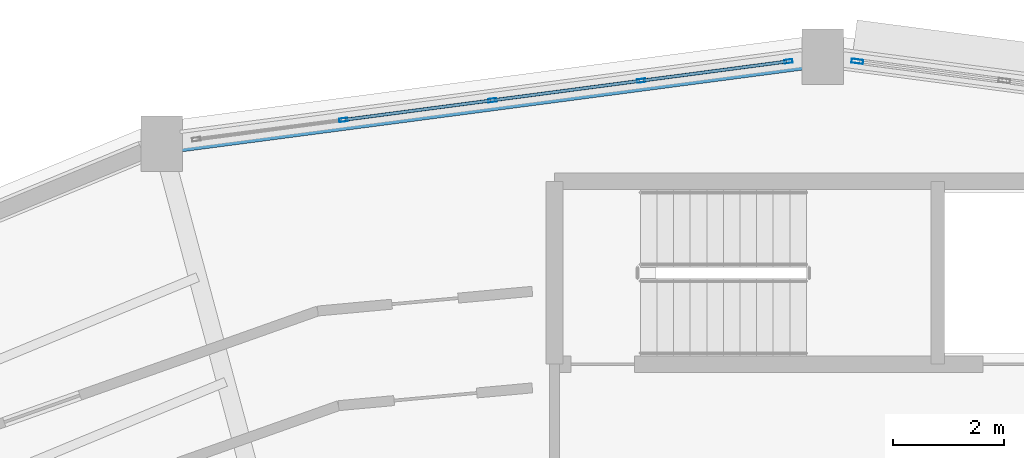
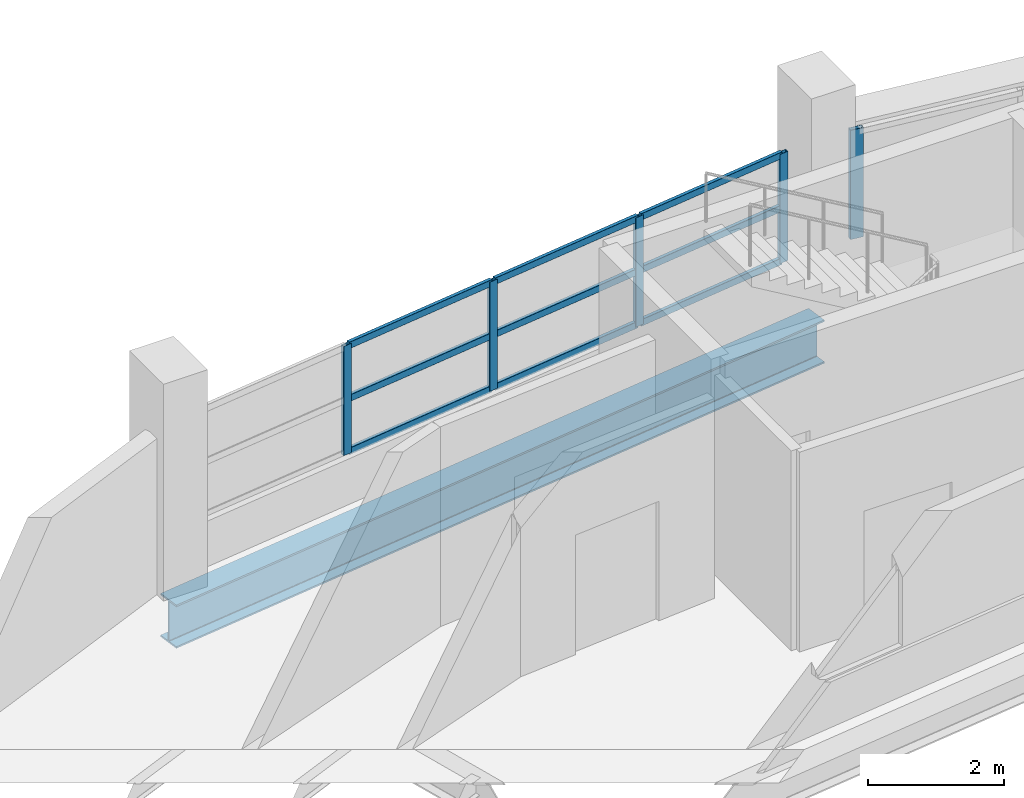
# One storey, part 75 of 108: 14 members, 1 beam, 2 elements without a shape of their own.
"""IFC4 building model written with IfcOpenShell, lengths in metres."""

from ifc_helpers import new_model, si_unit, direction, frame, origin, origin_2d, place, context, subcontext, project, spatial, hollow_rectangle, i_section, extrude, material, layer, layer_set, material_profile, profile_set, type_object, element, aggregate, save


model = new_model("IFC4")

# Units and contexts
model_context = context("Model", 3, precision=1e-05, world=origin(), true_north=direction((0.0, 1.0)))
body_context = subcontext(model_context, "Body", "Model", "MODEL_VIEW")
ifc_project = project(units=[si_unit("LENGTHUNIT", "METRE"), si_unit("AREAUNIT", "SQUARE_METRE"), si_unit("VOLUMEUNIT", "CUBIC_METRE"), si_unit("PLANEANGLEUNIT", "RADIAN"), si_unit("MASSUNIT", "GRAM", prefix="KILO")], contexts=[model_context])

# Site, building, storey
site_placement = place(None, origin())
site = spatial("IfcSite", under=ifc_project, at=site_placement, CompositionType="ELEMENT")
building_placement = place(site_placement, origin())
building = spatial("IfcBuilding", under=site, at=building_placement, Name="Vespera Passage Community Centre", CompositionType="ELEMENT")
storey_placement = place(building_placement, frame((0.0, 0.0, 12.60009765625)))
storey = spatial("IfcBuildingStorey", under=building, at=storey_placement, Name="L03", CompositionType="ELEMENT", Elevation=12.60009765625)

# Beam
ifc_material_1 = material(Name="Steel ASTM A992 Grade 50", Category="steel")
ifc_material_profile_1 = material_profile(ifc_material_1, i_section(OverallWidth=0.382080078125, OverallDepth=0.779296875, WebThickness=0.01806640625, FlangeThickness=0.030029296875, FilletRadius=0.0166015625, at=origin_2d()), Name="W30X191")
ifc_profile_set_1 = profile_set([ifc_material_profile_1], Name="Steel ASTM A992 Grade 50")
beam_type = type_object("IfcBeamType", Name="BM-SP-W30X191E", PredefinedType="SPANDREL", material=ifc_profile_set_1)
beam_placement = place(storey_placement, frame((78.0, 111.60009765625, -0.789794921875), z_axis=(-0.991445178667, -0.130523782115, 0.0), x_axis=(0.130523782115, -0.991445178667, 0.0)))
element("IfcBeam", 1, at=beam_placement, inside=storey, type_object=beam_type, Name="V4 L03 Outer Spandrel 6", PredefinedType="SPANDREL", context=body_context, shape_type="SweptSolid", body=[
    extrude(i_section(OverallWidth=0.382080078125, OverallDepth=0.779296875, WebThickness=0.01806640625, FlangeThickness=0.030029296875, FilletRadius=0.0166015625, at=origin_2d()), origin(), (0.0, 0.0, 1.0), 12.03466796875),
])

# Curtain wall, members
ifc_material_2 = material(Name="Anodized aluminium 6063-T6", Category="aluminium")
ifc_layer_1 = layer(ifc_material_2, 0.159912109375)
ifc_layer_set_1 = layer_set([ifc_layer_1], Name="Anodized aluminium 6063-T6")
curtain_wall_type_1 = type_object("IfcCurtainWallType", Name="CW-43E", PredefinedType="NOTDEFINED", material=ifc_layer_set_1)
curtain_wall_1_placement = place(storey_placement, origin())
curtain_wall_1 = element("IfcCurtainWall", 2, at=curtain_wall_1_placement, inside=storey, type_object=curtain_wall_type_1, Name="V4 L03 Outer Ribbon Curtain Wall 6", PredefinedType="NOTDEFINED")
ifc_material_3 = material(Name="Anodized aluminium 6063-T6", Category="aluminium")
ifc_material_profile_2 = material_profile(ifc_material_3, hollow_rectangle(XDim=0.06494140625, YDim=0.14990234375, WallThickness=0.00390625, InnerFilletRadius=0.001953125, OuterFilletRadius=0.00390625, at=origin_2d()), Name="ALU150X65X4")
ifc_profile_set_2 = profile_set([ifc_material_profile_2], Name="Anodized aluminium 6063-T6")
member_type_1 = type_object("IfcMemberType", Name="MB-CWM-150E", PredefinedType="MULLION", material=ifc_profile_set_2)
member_1_placement = place(storey_placement, frame((69.345458984375, 110.460693359375, 0.81982421875), z_axis=(0.0, 0.0, 1.0), x_axis=(-0.130530818696, 0.991444252276, 0.0)))
member_1 = element("IfcMember", 3, at=member_1_placement, type_object=member_type_1, Name="CW-43E mullion 2", PredefinedType="MULLION", context=body_context, shape_type="SweptSolid", body=[
    extrude(hollow_rectangle(XDim=0.06494140625, YDim=0.14990234375, WallThickness=0.00390625, InnerFilletRadius=0.001953125, OuterFilletRadius=0.00390625, at=origin_2d()), origin(), (0.0, 0.0, 1.0), 1.965576171875),
])
member_2_placement = place(storey_placement, frame((72.0341796875, 110.814697265625, 0.81982421875), z_axis=(0.0, 0.0, 1.0), x_axis=(-0.130530818696, 0.991444252276, 0.0)))
member_2 = element("IfcMember", 4, at=member_2_placement, type_object=member_type_1, Name="CW-43E mullion 3", PredefinedType="MULLION", context=body_context, shape_type="SweptSolid", body=[
    extrude(hollow_rectangle(XDim=0.06494140625, YDim=0.14990234375, WallThickness=0.00390625, InnerFilletRadius=0.001953125, OuterFilletRadius=0.00390625, at=origin_2d()), origin(), (0.0, 0.0, 1.0), 1.965576171875),
])
member_3_placement = place(storey_placement, frame((74.722900390625, 111.168701171875, 0.81982421875), z_axis=(0.0, 0.0, 1.0), x_axis=(-0.130530818696, 0.991444252276, 0.0)))
member_3 = element("IfcMember", 5, at=member_3_placement, type_object=member_type_1, Name="CW-43E mullion 4", PredefinedType="MULLION", context=body_context, shape_type="SweptSolid", body=[
    extrude(hollow_rectangle(XDim=0.06494140625, YDim=0.14990234375, WallThickness=0.00390625, InnerFilletRadius=0.001953125, OuterFilletRadius=0.00390625, at=origin_2d()), origin(), (0.0, 0.0, 1.0), 1.965576171875),
])
member_4_placement = place(storey_placement, frame((77.379638671875, 111.518310546875, 0.81982421875), z_axis=(0.0, 0.0, 1.0), x_axis=(-0.130530818696, 0.991444252276, 0.0)))
member_4 = element("IfcMember", 6, at=member_4_placement, type_object=member_type_1, Name="CW-43E mullion 5", PredefinedType="MULLION", context=body_context, shape_type="SweptSolid", body=[
    extrude(hollow_rectangle(XDim=0.06494140625, YDim=0.14990234375, WallThickness=0.00390625, InnerFilletRadius=0.001953125, OuterFilletRadius=0.00390625, at=origin_2d()), origin(), (0.0, 0.0, 1.0), 1.965576171875),
])

# Curtain wall, member
ifc_material_4 = material(Name="Anodized aluminium 6063-T6", Category="aluminium")
ifc_layer_2 = layer(ifc_material_4, 0.159912109375)
ifc_layer_set_2 = layer_set([ifc_layer_2], Name="Anodized aluminium 6063-T6")
curtain_wall_type_2 = type_object("IfcCurtainWallType", Name="CW-41E", PredefinedType="NOTDEFINED", material=ifc_layer_set_2)
curtain_wall_2_placement = place(storey_placement, origin())
curtain_wall_2 = element("IfcCurtainWall", 7, at=curtain_wall_2_placement, inside=storey, type_object=curtain_wall_type_2, Name="V4 L03 Outer Ribbon Curtain Wall 5", PredefinedType="NOTDEFINED")
ifc_material_5 = material(Name="Anodized aluminium 6063-T6", Category="aluminium")
ifc_material_profile_3 = material_profile(ifc_material_5, hollow_rectangle(XDim=0.074951171875, YDim=0.2099609375, WallThickness=0.0048828125, InnerFilletRadius=0.00244140625, OuterFilletRadius=0.0048828125, at=origin_2d()), Name="ALU210X75X5")
ifc_profile_set_3 = profile_set([ifc_material_profile_3], Name="Anodized aluminium 6063-T6")
member_type_2 = type_object("IfcMemberType", Name="MB-CWM-210E", PredefinedType="MULLION", material=ifc_profile_set_3)
member_5_placement = place(storey_placement, frame((78.62548828125, 111.517822265625, 0.81982421875), z_axis=(0.0, 0.0, 1.0), x_axis=(0.130530818696, 0.991444252276, 0.0)))
member_5 = element("IfcMember", 8, at=member_5_placement, type_object=member_type_2, Name="CW-41E mullion 1", PredefinedType="MULLION", context=body_context, shape_type="SweptSolid", body=[
    extrude(hollow_rectangle(XDim=0.074951171875, YDim=0.2099609375, WallThickness=0.0048828125, InnerFilletRadius=0.00244140625, OuterFilletRadius=0.0048828125, at=origin_2d()), origin(), (0.0, 0.0, 1.0), 1.965576171875),
])
aggregate(curtain_wall_2, [member_5])

# Member
ifc_material_6 = material(Name="Anodized aluminium 6063-T6", Category="aluminium")
ifc_material_profile_4 = material_profile(ifc_material_6, hollow_rectangle(XDim=0.06005859375, YDim=0.1201171875, WallThickness=0.00390625, InnerFilletRadius=0.001953125, OuterFilletRadius=0.00390625, at=origin_2d()), Name="ALU120X60X4")
ifc_profile_set_4 = profile_set([ifc_material_profile_4], Name="Anodized aluminium 6063-T6")
member_type_3 = type_object("IfcMemberType", Name="MB-CWT-120E", PredefinedType="USERDEFINED", material=ifc_profile_set_4)
member_6_placement = place(storey_placement, frame((69.377685546875, 110.46484375, 0.849853515625), z_axis=(0.991446445198, 0.130514161313, 0.0), x_axis=(-0.130514161313, 0.991446445198, 0.0)))
member_6 = element("IfcMember", 9, at=member_6_placement, type_object=member_type_3, Name="CW-43E transom 2.1", ObjectType="TRANSOM", PredefinedType="USERDEFINED", context=body_context, shape_type="SweptSolid", body=[
    extrude(hollow_rectangle(XDim=0.06005859375, YDim=0.1201171875, WallThickness=0.00390625, InnerFilletRadius=0.001953125, OuterFilletRadius=0.00390625, at=origin_2d()), origin(), (0.0, 0.0, 1.0), 2.64697265625),
])

member_7_placement = place(storey_placement, frame((69.377685546875, 110.46484375, 1.802734375), z_axis=(0.991446445198, 0.130514161313, 0.0), x_axis=(-0.130514161313, 0.991446445198, 0.0)))
member_7 = element("IfcMember", 10, at=member_7_placement, type_object=member_type_3, Name="CW-43E transom 2.2", ObjectType="TRANSOM", PredefinedType="USERDEFINED", context=body_context, shape_type="SweptSolid", body=[
    extrude(hollow_rectangle(XDim=0.06005859375, YDim=0.1201171875, WallThickness=0.00390625, InnerFilletRadius=0.001953125, OuterFilletRadius=0.00390625, at=origin_2d()), origin(), (0.0, 0.0, 1.0), 2.64697265625),
])

member_8_placement = place(storey_placement, frame((69.377685546875, 110.46484375, 2.755615234375), z_axis=(0.991446445198, 0.130514161313, 0.0), x_axis=(-0.130514161313, 0.991446445198, 0.0)))
member_8 = element("IfcMember", 11, at=member_8_placement, type_object=member_type_3, Name="CW-43E transom 2.3", ObjectType="TRANSOM", PredefinedType="USERDEFINED", context=body_context, shape_type="SweptSolid", body=[
    extrude(hollow_rectangle(XDim=0.06005859375, YDim=0.1201171875, WallThickness=0.00390625, InnerFilletRadius=0.001953125, OuterFilletRadius=0.00390625, at=origin_2d()), origin(), (0.0, 0.0, 1.0), 2.64697265625),
])

member_9_placement = place(storey_placement, frame((72.06640625, 110.81884765625, 0.849853515625), z_axis=(0.991446445198, 0.130514161313, 0.0), x_axis=(-0.130514161313, 0.991446445198, 0.0)))
member_9 = element("IfcMember", 12, at=member_9_placement, type_object=member_type_3, Name="CW-43E transom 3.1", ObjectType="TRANSOM", PredefinedType="USERDEFINED", context=body_context, shape_type="SweptSolid", body=[
    extrude(hollow_rectangle(XDim=0.06005859375, YDim=0.1201171875, WallThickness=0.00390625, InnerFilletRadius=0.001953125, OuterFilletRadius=0.00390625, at=origin_2d()), origin(), (0.0, 0.0, 1.0), 2.64697265625),
])

member_10_placement = place(storey_placement, frame((72.06640625, 110.81884765625, 1.802734375), z_axis=(0.991446445198, 0.130514161313, 0.0), x_axis=(-0.130514161313, 0.991446445198, 0.0)))
member_10 = element("IfcMember", 13, at=member_10_placement, type_object=member_type_3, Name="CW-43E transom 3.2", ObjectType="TRANSOM", PredefinedType="USERDEFINED", context=body_context, shape_type="SweptSolid", body=[
    extrude(hollow_rectangle(XDim=0.06005859375, YDim=0.1201171875, WallThickness=0.00390625, InnerFilletRadius=0.001953125, OuterFilletRadius=0.00390625, at=origin_2d()), origin(), (0.0, 0.0, 1.0), 2.64697265625),
])

member_11_placement = place(storey_placement, frame((72.06640625, 110.81884765625, 2.755615234375), z_axis=(0.991446445198, 0.130514161313, 0.0), x_axis=(-0.130514161313, 0.991446445198, 0.0)))
member_11 = element("IfcMember", 14, at=member_11_placement, type_object=member_type_3, Name="CW-43E transom 3.3", ObjectType="TRANSOM", PredefinedType="USERDEFINED", context=body_context, shape_type="SweptSolid", body=[
    extrude(hollow_rectangle(XDim=0.06005859375, YDim=0.1201171875, WallThickness=0.00390625, InnerFilletRadius=0.001953125, OuterFilletRadius=0.00390625, at=origin_2d()), origin(), (0.0, 0.0, 1.0), 2.64697265625),
])

member_12_placement = place(storey_placement, frame((74.755126953125, 111.1728515625, 0.849853515625), z_axis=(0.991443486455, 0.130536635342, 0.0), x_axis=(-0.130536635342, 0.991443486455, 0.0)))
member_12 = element("IfcMember", 15, at=member_12_placement, type_object=member_type_3, Name="CW-43E transom 4.1", ObjectType="TRANSOM", PredefinedType="USERDEFINED", context=body_context, shape_type="SweptSolid", body=[
    extrude(hollow_rectangle(XDim=0.06005859375, YDim=0.1201171875, WallThickness=0.00390625, InnerFilletRadius=0.001953125, OuterFilletRadius=0.00390625, at=origin_2d()), origin(), (0.0, 0.0, 1.0), 2.61474609375),
])

member_13_placement = place(storey_placement, frame((74.755126953125, 111.1728515625, 1.802734375), z_axis=(0.991443486455, 0.130536635342, 0.0), x_axis=(-0.130536635342, 0.991443486455, 0.0)))
member_13 = element("IfcMember", 16, at=member_13_placement, type_object=member_type_3, Name="CW-43E transom 4.2", ObjectType="TRANSOM", PredefinedType="USERDEFINED", context=body_context, shape_type="SweptSolid", body=[
    extrude(hollow_rectangle(XDim=0.06005859375, YDim=0.1201171875, WallThickness=0.00390625, InnerFilletRadius=0.001953125, OuterFilletRadius=0.00390625, at=origin_2d()), origin(), (0.0, 0.0, 1.0), 2.61474609375),
])

member_14_placement = place(storey_placement, frame((74.755126953125, 111.1728515625, 2.755615234375), z_axis=(0.991443486455, 0.130536635342, 0.0), x_axis=(-0.130536635342, 0.991443486455, 0.0)))
member_14 = element("IfcMember", 17, at=member_14_placement, type_object=member_type_3, Name="CW-43E transom 4.3", ObjectType="TRANSOM", PredefinedType="USERDEFINED", context=body_context, shape_type="SweptSolid", body=[
    extrude(hollow_rectangle(XDim=0.06005859375, YDim=0.1201171875, WallThickness=0.00390625, InnerFilletRadius=0.001953125, OuterFilletRadius=0.00390625, at=origin_2d()), origin(), (0.0, 0.0, 1.0), 2.61474609375),
])

aggregate(curtain_wall_1, [member_1, member_2, member_3, member_4, member_6, member_7, member_8, member_9, member_10, member_11, member_12, member_13, member_14])

save(model, "model.ifc")
